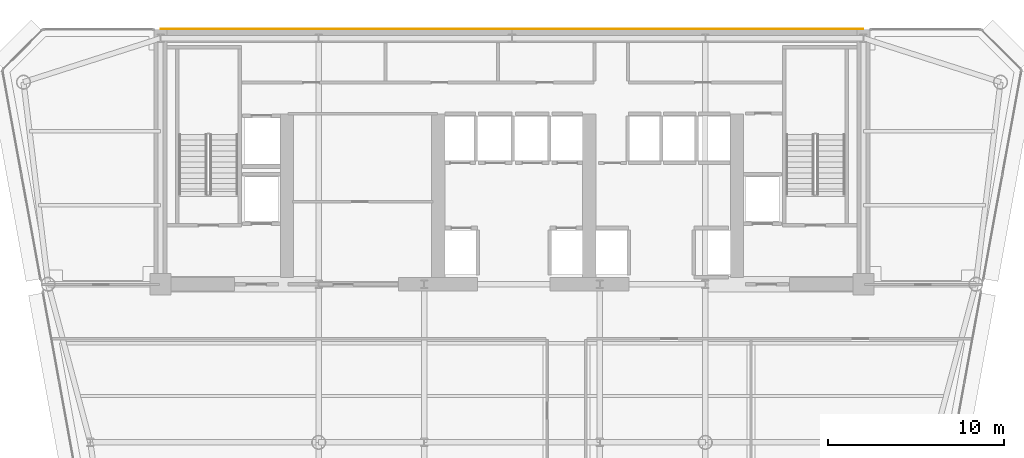
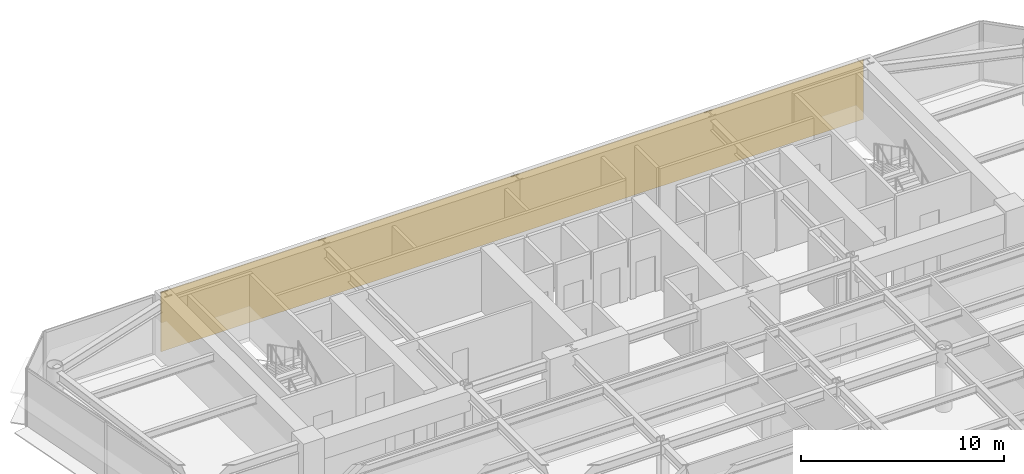
# One storey, part 16 of 17: 1 covering.
"""IFC4 building model written with IfcOpenShell, lengths in metres."""

from ifc_helpers import new_model, si_unit, direction, frame, origin, place, context, subcontext, project, spatial, polyline, outline, extrude, material, layer, layer_set, type_object, element, save


model = new_model("IFC4")

# Units and contexts
model_context = context("Model", 3, precision=1e-05, world=origin(), true_north=direction((0.0, 1.0)))
body_context = subcontext(model_context, "Body", "Model", "MODEL_VIEW")
ifc_project = project(units=[si_unit("LENGTHUNIT", "METRE"), si_unit("AREAUNIT", "SQUARE_METRE"), si_unit("VOLUMEUNIT", "CUBIC_METRE"), si_unit("PLANEANGLEUNIT", "RADIAN"), si_unit("MASSUNIT", "GRAM", prefix="KILO")], contexts=[model_context])

# Site, building, storey
site_placement = place(None, origin())
site = spatial("IfcSite", under=ifc_project, at=site_placement, CompositionType="ELEMENT")
building_placement = place(site_placement, origin())
building = spatial("IfcBuilding", under=site, at=building_placement, Name="Vaeldorn Concourse Tower", CompositionType="ELEMENT")
storey_placement = place(building_placement, frame((0.0, 0.0, 165.199951171875)))
storey = spatial("IfcBuildingStorey", under=building, at=storey_placement, Name="L42", CompositionType="ELEMENT", Elevation=165.199951171875)

# Covering
ifc_material = material(Name="Anodised Bronze Aluminium", Category="aluminium")
ifc_layer = layer(ifc_material, 0.050048828125)
ifc_layer_set = layer_set([ifc_layer], Name="Anodised Bronze Aluminium")
covering_type = type_object("IfcCoveringType", Name="COV-CLAD-BRONZE", PredefinedType="CLADDING", material=ifc_layer_set)
covering_placement = place(storey_placement, origin())
element("IfcCovering", 1, at=covering_placement, inside=storey, type_object=covering_type, Name="Rear Core Bronze Spandrel Cladding L42", PredefinedType="CLADDING", context=body_context, shape_type="SweptSolid", body=[
    extrude(outline(polyline([(14.0, 51.0), (54.0, 51.0), (54.0, 51.050048828125), (14.0, 51.050048828125), (14.0, 51.0)])), origin(), (0.0, 0.0, 1.0), 3.580078125),
])

save(model, "model.ifc")
